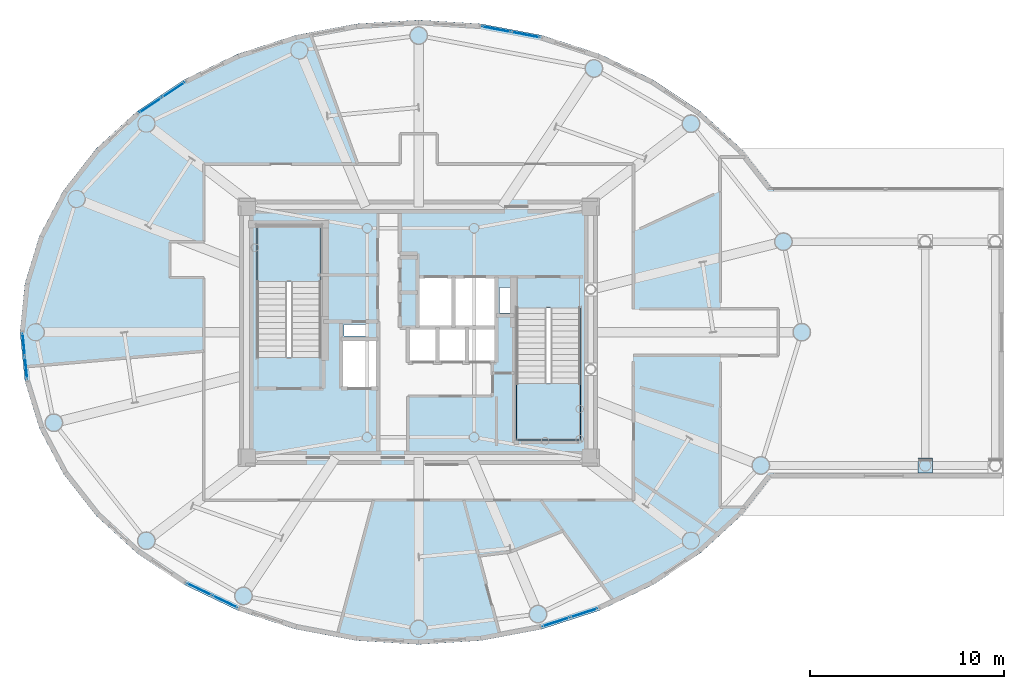
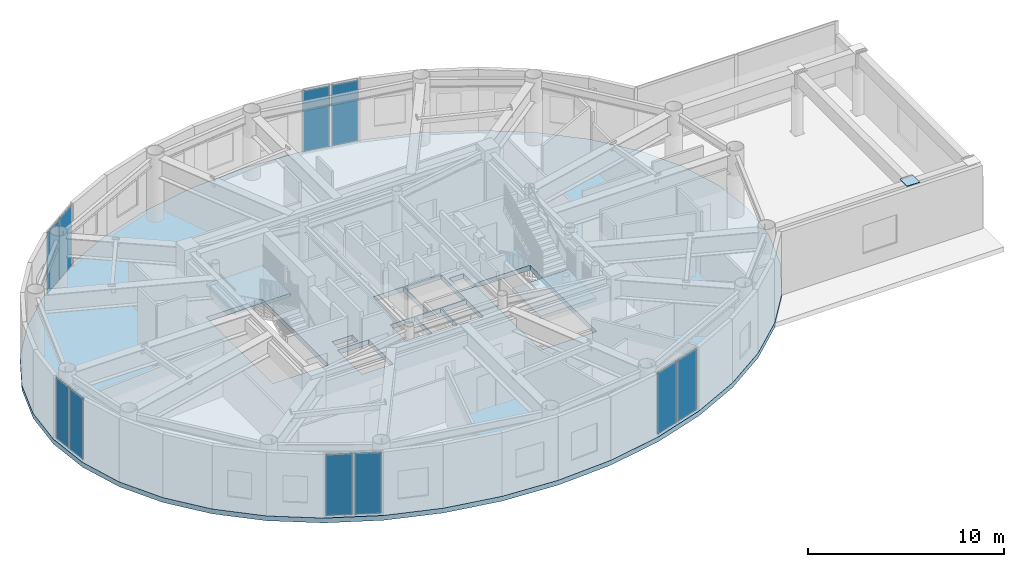
# One storey, part 13 of 26: 11 plates, 3 slabs, 7 elements without a shape of their own.
"""IFC4 building model written with IfcOpenShell, lengths in metres."""

from ifc_helpers import new_model, si_unit, direction, frame, origin, origin_2d, place, context, subcontext, project, spatial, polyline, rectangle, outline, extrude, source, transform, mapped, material, layer, layer_set, type_object, element, aggregate, save


model = new_model("IFC4")

# Units and contexts
model_context = context("Model", 3, precision=1e-05, world=origin(), true_north=direction((0.0, 1.0)))
body_context = subcontext(model_context, "Body", "Model", "MODEL_VIEW")
ifc_project = project(units=[si_unit("LENGTHUNIT", "METRE"), si_unit("AREAUNIT", "SQUARE_METRE"), si_unit("VOLUMEUNIT", "CUBIC_METRE"), si_unit("PLANEANGLEUNIT", "RADIAN"), si_unit("MASSUNIT", "GRAM", prefix="KILO")], contexts=[model_context])

# Site, building, storey
site_placement = place(None, origin())
site = spatial("IfcSite", under=ifc_project, at=site_placement, CompositionType="ELEMENT")
building_placement = place(site_placement, origin())
building = spatial("IfcBuilding", under=site, at=building_placement, Name="Linh Dai School and Residence Tower", CompositionType="ELEMENT")
storey_placement = place(building_placement, frame((0.0, 0.0, 351.0)))
storey = spatial("IfcBuildingStorey", under=building, at=storey_placement, Name="L87", CompositionType="ELEMENT", Elevation=351.0)

# Slab
ifc_material_1 = material(Name="Concrete B45 (C35/45)", Category="concrete")
ifc_layer_1 = layer(ifc_material_1, 0.300048828125)
ifc_layer_set_1 = layer_set([ifc_layer_1], Name="Concrete B45 (C35/45)")
slab_type_1 = type_object("IfcSlabType", Name="SLB-FLR300", PredefinedType="FLOOR", material=ifc_layer_set_1)
slab_1_placement = place(storey_placement, frame((0.0, 0.0, -0.300048828125)))
element("IfcSlab", 1, at=slab_1_placement, inside=storey, type_object=slab_type_1, Name="L87 Composite Structural Floor Slab", PredefinedType="FLOOR", context=body_context, shape_type="SweptSolid", body=[
    extrude(outline(polyline([(56.5, 27.0), (56.24755859375, 29.511474609375), (55.49658203125, 31.961181640625), (54.265625, 34.288818359375), (52.5849609375, 36.43701171875), (50.49560546875, 38.3525390625), (48.049560546875, 39.98876953125), (45.306884765625, 41.30517578125), (42.3349609375, 42.269287109375), (39.206787109375, 42.857421875), (36.0, 43.054931640625), (32.793212890625, 42.857421875), (29.6650390625, 42.269287109375), (26.693115234375, 41.30517578125), (23.950439453125, 39.98876953125), (21.50439453125, 38.3525390625), (19.4150390625, 36.43701171875), (17.734375, 34.288818359375), (16.50341796875, 31.961181640625), (15.75244140625, 29.511474609375), (15.5, 27.0), (15.75244140625, 24.488525390625), (16.50341796875, 22.038818359375), (17.734375, 19.711181640625), (19.4150390625, 17.56298828125), (21.50439453125, 15.6474609375), (23.950439453125, 14.01123046875), (26.693115234375, 12.69482421875), (29.6650390625, 11.730712890625), (32.793212890625, 11.142578125), (36.0, 10.945068359375), (39.206787109375, 11.142578125), (42.3349609375, 11.730712890625), (45.306884765625, 12.69482421875), (48.049560546875, 14.01123046875), (50.49560546875, 15.6474609375), (52.5849609375, 17.56298828125), (54.265625, 19.711181640625), (55.49658203125, 22.038818359375), (56.24755859375, 24.488525390625), (56.5, 27.0)]), holes=[polyline([(30.97998046875, 25.699951171875), (30.97998046875, 32.5), (27.679931640625, 32.5), (27.679931640625, 25.699951171875), (30.97998046875, 25.699951171875)]), polyline([(41.02001953125, 28.25), (41.02001953125, 21.449951171875), (44.320068359375, 21.449951171875), (44.320068359375, 28.25), (41.02001953125, 28.25)]), polyline([(35.97998046875, 27.280029296875), (37.77001953125, 27.280029296875), (37.77001953125, 29.820068359375), (35.97998046875, 29.820068359375), (35.97998046875, 27.280029296875)]), polyline([(32.030029296875, 24.1298828125), (33.8701171875, 24.1298828125), (33.8701171875, 26.6201171875), (32.030029296875, 26.6201171875), (32.030029296875, 24.1298828125)]), polyline([(37.830078125, 27.280029296875), (39.969970703125, 27.280029296875), (39.969970703125, 29.820068359375), (37.830078125, 29.820068359375), (37.830078125, 27.280029296875)]), polyline([(35.47998046875, 25.47998046875), (36.929931640625, 25.47998046875), (36.929931640625, 27.219970703125), (35.47998046875, 27.219970703125), (35.47998046875, 25.47998046875)]), polyline([(36.989990234375, 25.47998046875), (38.449951171875, 25.47998046875), (38.449951171875, 27.219970703125), (36.989990234375, 27.219970703125), (36.989990234375, 25.47998046875)]), polyline([(38.510009765625, 25.47998046875), (39.969970703125, 25.47998046875), (39.969970703125, 27.219970703125), (38.510009765625, 27.219970703125), (38.510009765625, 25.47998046875)]), polyline([(40.14990234375, 28.0), (40.14990234375, 29.300048828125), (41.0, 29.300048828125), (41.0, 28.280029296875), (40.989990234375, 28.280029296875), (40.989990234375, 28.0), (40.14990234375, 28.0)]), polyline([(32.14990234375, 26.800048828125), (33.35009765625, 26.800048828125), (33.35009765625, 27.39990234375), (32.14990234375, 27.39990234375), (32.14990234375, 26.800048828125)])]), origin(), (0.0, 0.0, 1.0), 0.300048828125),
])

# Stair, slab
stair_type = type_object("IfcStairType", Name="ST-DOG-1550-R1500", PredefinedType="HALF_TURN_STAIR", material=ifc_material_1)
stair_1_placement = place(storey_placement, origin())
stair_1 = element("IfcStair", 2, at=stair_1_placement, inside=storey, type_object=stair_type, Name="L87 Core Smokeproof Exit Stair ST1", PredefinedType="HALF_TURN_STAIR")
ifc_layer_2 = layer(ifc_material_1, 0.199951171875)
ifc_layer_set_2 = layer_set([ifc_layer_2], Name="Concrete B45 (C35/45)")
slab_type_2 = type_object("IfcSlabType", Name="SLB-ST-LANDING-200", PredefinedType="LANDING", material=ifc_layer_set_2)
slab_2_placement = place(storey_placement, frame((0.0, 0.0, 1.89990234375)))
slab_2 = element("IfcSlab", 3, at=slab_2_placement, type_object=slab_type_2, Name="ST1 landing 1", PredefinedType="LANDING", context=body_context, shape_type="SweptSolid", body=[
    extrude(outline(polyline([(30.97998046875, 29.60009765625), (30.97998046875, 32.5), (27.679931640625, 32.5), (27.679931640625, 29.60009765625), (30.97998046875, 29.60009765625)])), origin(), (0.0, 0.0, 1.0), 0.2001953125),
])
aggregate(stair_1, [slab_2])

stair_2_placement = place(storey_placement, origin())
stair_2 = element("IfcStair", 4, at=stair_2_placement, inside=storey, type_object=stair_type, Name="L87 Core Smokeproof Exit Stair ST2", PredefinedType="HALF_TURN_STAIR")
slab_3_placement = place(storey_placement, frame((0.0, 0.0, 1.89990234375)))
slab_3 = element("IfcSlab", 5, at=slab_3_placement, type_object=slab_type_2, Name="ST2 landing 1", PredefinedType="LANDING", context=body_context, shape_type="SweptSolid", body=[
    extrude(outline(polyline([(41.02001953125, 24.35009765625), (41.02001953125, 21.449951171875), (44.320068359375, 21.449951171875), (44.320068359375, 24.35009765625), (41.02001953125, 24.35009765625)])), origin(), (0.0, 0.0, 1.0), 0.2001953125),
])
aggregate(stair_2, [slab_3])

# Plate
ifc_material_2 = material(Name="Structural Steel S355JR", Category="steel")
ifc_layer_3 = layer(ifc_material_2, 0.0400390625)
ifc_layer_set_3 = layer_set([ifc_layer_3], Name="Structural Steel S355JR")
plate_type_1 = type_object("IfcPlateType", Name="PLT-GP1", PredefinedType="USERDEFINED", material=ifc_layer_set_3)
shared_shape_1 = source(origin(), body_context, "Body", "SweptSolid", [
    extrude(rectangle(XDim=0.75, YDim=0.75, at=origin_2d()), origin(), (0.0, 0.0, 1.0), 0.0400390625),
])
plate_1_placement = place(storey_placement, frame((62.050048828125, 20.1474609375, 3.949951171875), z_axis=(0.0, 0.0, 1.0), x_axis=(1.0, 0.0, 0.0)))
element("IfcPlate", 6, at=plate_1_placement, inside=storey, type_object=plate_type_1, Name="L87 SLC1 Sky-Lounge Column Cap Plate", ObjectType="GUSSET PLATE", PredefinedType="USERDEFINED", context=body_context, shape_type="MappedRepresentation", body=[
    mapped(shared_shape_1, transform((0.0, 0.0, 0.0), x_axis=(1.0, 0.0, 0.0), y_axis=(0.0, 1.0, 0.0), z_axis=(0.0, 0.0, 1.0), scale=1.0)),
])

# Curtain wall, plates
ifc_material_3 = material(Name="Aluminium Anodised Curtain Wall", Category="aluminium")
ifc_layer_4 = layer(ifc_material_3, 0.199951171875)
ifc_layer_set_4 = layer_set([ifc_layer_4], Name="Aluminium Anodised Curtain Wall")
curtain_wall_type = type_object("IfcCurtainWallType", Name="CW-SYS-6", PredefinedType="USERDEFINED", material=ifc_layer_set_4)
curtain_wall_1_placement = place(storey_placement, origin())
curtain_wall_1 = element("IfcCurtainWall", 7, at=curtain_wall_1_placement, inside=storey, type_object=curtain_wall_type, Name="L87 CW6 Curtain Wall 09", ObjectType="UNITISED CURTAIN WALL", PredefinedType="USERDEFINED")
ifc_material_4 = material(Name="Double Low-E Insulated Glazing", Category="glass")
ifc_layer_5 = layer(ifc_material_4, 0.035888671875)
ifc_layer_set_5 = layer_set([ifc_layer_5], Name="Double Low-E Insulated Glazing")
plate_type_2 = type_object("IfcPlateType", Name="CW-SYS-6-PAN", PredefinedType="CURTAIN_PANEL", material=ifc_layer_set_5)
shared_shape_2 = source(origin(), body_context, "Body", "SweptSolid", [
    extrude(rectangle(XDim=1.470947265625, YDim=0.035888671875, at=origin_2d()), origin(), (0.0, 0.0, 1.0), 3.800048828125),
])
plate_2_placement = place(storey_placement, frame((39.988037109375, 42.58349609375, 0.0751953125), z_axis=(0.0, 0.0, 1.0), x_axis=(0.982779051851, -0.184784564405, 0.0)))
plate_2 = element("IfcPlate", 8, at=plate_2_placement, type_object=plate_type_2, Name="CW6 panel 1.1", PredefinedType="CURTAIN_PANEL", context=body_context, shape_type="MappedRepresentation", body=[
    mapped(shared_shape_2, transform((0.0, 0.0, 0.0), x_axis=(1.0, 0.0, 0.0), y_axis=(0.0, 1.0, 0.0), z_axis=(0.0, 0.0, 1.0), scale=1.0)),
])
plate_3_placement = place(storey_placement, frame((41.507568359375, 42.2978515625, 0.0751953125), z_axis=(0.0, 0.0, 1.0), x_axis=(0.982779051851, -0.184784564405, 0.0)))
plate_3 = element("IfcPlate", 9, at=plate_3_placement, type_object=plate_type_2, Name="CW6 panel 2.1", PredefinedType="CURTAIN_PANEL", context=body_context, shape_type="MappedRepresentation", body=[
    mapped(shared_shape_2, transform((0.0, 0.0, 0.0), x_axis=(1.0, 0.0, 0.0), y_axis=(0.0, 1.0, 0.0), z_axis=(0.0, 0.0, 1.0), scale=1.0)),
])
aggregate(curtain_wall_1, [plate_2, plate_3])

curtain_wall_2_placement = place(storey_placement, origin())
curtain_wall_2 = element("IfcCurtainWall", 10, at=curtain_wall_2_placement, inside=storey, type_object=curtain_wall_type, Name="L87 CW6 Curtain Wall 15", ObjectType="UNITISED CURTAIN WALL", PredefinedType="USERDEFINED")
shared_shape_3 = source(origin(), body_context, "Body", "SweptSolid", [
    extrude(rectangle(XDim=1.349853515625, YDim=0.035888671875, at=origin_2d()), origin(), (0.0, 0.0, 1.0), 3.800048828125),
])
plate_4_placement = place(storey_placement, frame((22.20458984375, 38.671142578125, 0.0751953125), z_axis=(0.0, 0.0, 1.0), x_axis=(0.831201837679, 0.555970777144, 0.0)))
plate_4 = element("IfcPlate", 11, at=plate_4_placement, type_object=plate_type_2, Name="CW6 panel 1.1", PredefinedType="CURTAIN_PANEL", context=body_context, shape_type="MappedRepresentation", body=[
    mapped(shared_shape_3, transform((0.0, 0.0, 0.0), x_axis=(1.0, 0.0, 0.0), y_axis=(0.0, 1.0, 0.0), z_axis=(0.0, 0.0, 1.0), scale=1.0)),
])
plate_5_placement = place(storey_placement, frame((23.388916015625, 39.463134765625, 0.0751953125), z_axis=(0.0, 0.0, 1.0), x_axis=(0.831201837679, 0.555970777144, 0.0)))
plate_5 = element("IfcPlate", 12, at=plate_5_placement, type_object=plate_type_2, Name="CW6 panel 2.1", PredefinedType="CURTAIN_PANEL", context=body_context, shape_type="MappedRepresentation", body=[
    mapped(shared_shape_3, transform((0.0, 0.0, 0.0), x_axis=(1.0, 0.0, 0.0), y_axis=(0.0, 1.0, 0.0), z_axis=(0.0, 0.0, 1.0), scale=1.0)),
])
aggregate(curtain_wall_2, [plate_4, plate_5])

curtain_wall_3_placement = place(storey_placement, origin())
curtain_wall_3 = element("IfcCurtainWall", 13, at=curtain_wall_3_placement, inside=storey, type_object=curtain_wall_type, Name="L87 CW6 Curtain Wall 21", ObjectType="UNITISED CURTAIN WALL", PredefinedType="USERDEFINED")
shared_shape_4 = source(origin(), body_context, "Body", "SweptSolid", [
    extrude(rectangle(XDim=1.13720703125, YDim=0.035888671875, at=origin_2d()), origin(), (0.0, 0.0, 1.0), 3.800048828125),
])
plate_6_placement = place(storey_placement, frame((15.810546875, 25.153564453125, 0.0751953125), z_axis=(0.0, 0.0, 1.0), x_axis=(-0.099991763355, 0.994988264886, 0.0)))
plate_6 = element("IfcPlate", 14, at=plate_6_placement, type_object=plate_type_2, Name="CW6 panel 1.1", PredefinedType="CURTAIN_PANEL", context=body_context, shape_type="MappedRepresentation", body=[
    mapped(shared_shape_4, transform((0.0, 0.0, 0.0), x_axis=(1.0, 0.0, 0.0), y_axis=(0.0, 1.0, 0.0), z_axis=(0.0, 0.0, 1.0), scale=1.0)),
])
plate_7_placement = place(storey_placement, frame((15.689453125, 26.359619140625, 0.0751953125), z_axis=(0.0, 0.0, 1.0), x_axis=(-0.099991763355, 0.994988264886, 0.0)))
plate_7 = element("IfcPlate", 15, at=plate_7_placement, type_object=plate_type_2, Name="CW6 panel 2.1", PredefinedType="CURTAIN_PANEL", context=body_context, shape_type="MappedRepresentation", body=[
    mapped(shared_shape_4, transform((0.0, 0.0, 0.0), x_axis=(1.0, 0.0, 0.0), y_axis=(0.0, 1.0, 0.0), z_axis=(0.0, 0.0, 1.0), scale=1.0)),
])
aggregate(curtain_wall_3, [plate_6, plate_7])

curtain_wall_4_placement = place(storey_placement, origin())
curtain_wall_4 = element("IfcCurtainWall", 16, at=curtain_wall_4_placement, inside=storey, type_object=curtain_wall_type, Name="L87 CW6 Curtain Wall 27", ObjectType="UNITISED CURTAIN WALL", PredefinedType="USERDEFINED")
shared_shape_5 = source(origin(), body_context, "Body", "SweptSolid", [
    extrude(rectangle(XDim=1.400146484375, YDim=0.035888671875, at=origin_2d()), origin(), (0.0, 0.0, 1.0), 3.800048828125),
])
plate_8_placement = place(storey_placement, frame((26.040771484375, 13.146240234375, 0.0751953125), z_axis=(0.0, 0.0, 1.0), x_axis=(-0.901550652892, 0.432673572419, 0.0)))
plate_8 = element("IfcPlate", 17, at=plate_8_placement, type_object=plate_type_2, Name="CW6 panel 1.1", PredefinedType="CURTAIN_PANEL", context=body_context, shape_type="MappedRepresentation", body=[
    mapped(shared_shape_5, transform((0.0, 0.0, 0.0), x_axis=(1.0, 0.0, 0.0), y_axis=(0.0, 1.0, 0.0), z_axis=(0.0, 0.0, 1.0), scale=1.0)),
])
plate_9_placement = place(storey_placement, frame((24.7109375, 13.784423828125, 0.0751953125), z_axis=(0.0, 0.0, 1.0), x_axis=(-0.901550652892, 0.432673572419, 0.0)))
plate_9 = element("IfcPlate", 18, at=plate_9_placement, type_object=plate_type_2, Name="CW6 panel 2.1", PredefinedType="CURTAIN_PANEL", context=body_context, shape_type="MappedRepresentation", body=[
    mapped(shared_shape_5, transform((0.0, 0.0, 0.0), x_axis=(1.0, 0.0, 0.0), y_axis=(0.0, 1.0, 0.0), z_axis=(0.0, 0.0, 1.0), scale=1.0)),
])
aggregate(curtain_wall_4, [plate_8, plate_9])

curtain_wall_5_placement = place(storey_placement, origin())
curtain_wall_5 = element("IfcCurtainWall", 19, at=curtain_wall_5_placement, inside=storey, type_object=curtain_wall_type, Name="L87 CW6 Curtain Wall 33", ObjectType="UNITISED CURTAIN WALL", PredefinedType="USERDEFINED")
shared_shape_6 = source(origin(), body_context, "Body", "SweptSolid", [
    extrude(rectangle(XDim=1.441650390625, YDim=0.035888671875, at=origin_2d()), origin(), (0.0, 0.0, 1.0), 3.800048828125),
])
plate_10_placement = place(storey_placement, frame((44.50341796875, 12.5654296875, 0.0751953125), z_axis=(0.0, 0.0, 1.0), x_axis=(-0.951203168298, -0.30856528097, 0.0)))
plate_10 = element("IfcPlate", 20, at=plate_10_placement, type_object=plate_type_2, Name="CW6 panel 1.1", PredefinedType="CURTAIN_PANEL", context=body_context, shape_type="MappedRepresentation", body=[
    mapped(shared_shape_6, transform((0.0, 0.0, 0.0), x_axis=(1.0, 0.0, 0.0), y_axis=(0.0, 1.0, 0.0), z_axis=(0.0, 0.0, 1.0), scale=1.0)),
])
plate_11_placement = place(storey_placement, frame((43.06103515625, 12.097412109375, 0.0751953125), z_axis=(0.0, 0.0, 1.0), x_axis=(-0.951203168298, -0.30856528097, 0.0)))
plate_11 = element("IfcPlate", 21, at=plate_11_placement, type_object=plate_type_2, Name="CW6 panel 2.1", PredefinedType="CURTAIN_PANEL", context=body_context, shape_type="MappedRepresentation", body=[
    mapped(shared_shape_6, transform((0.0, 0.0, 0.0), x_axis=(1.0, 0.0, 0.0), y_axis=(0.0, 1.0, 0.0), z_axis=(0.0, 0.0, 1.0), scale=1.0)),
])
aggregate(curtain_wall_5, [plate_10, plate_11])

save(model, "model.ifc")
